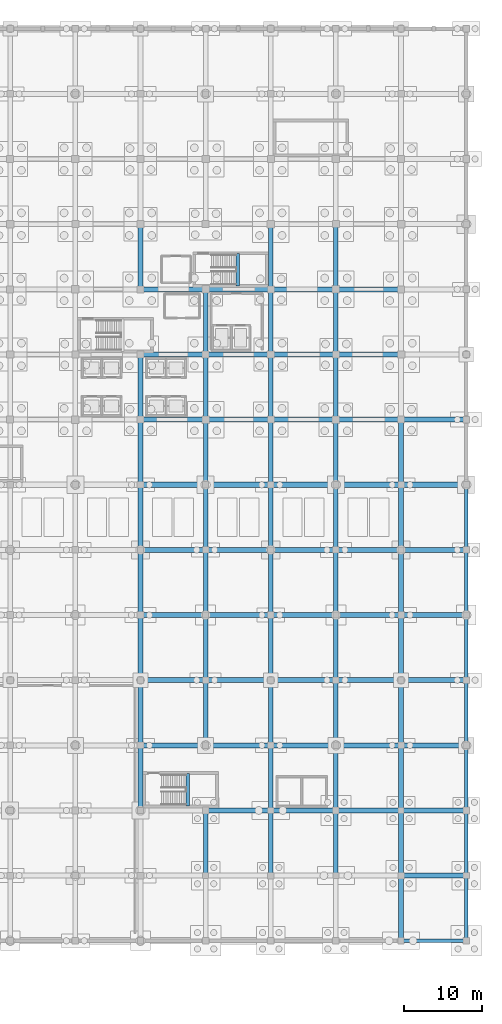
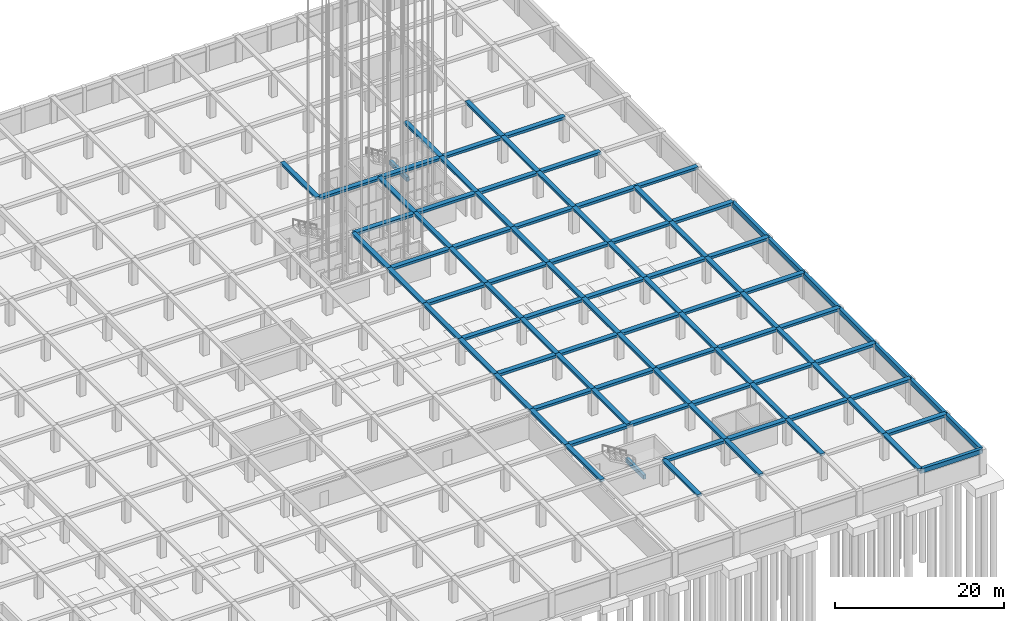
# One storey, part 16 of 47: 97 beams.
"""IFC4 building model written with IfcOpenShell, lengths in metres."""

from ifc_helpers import new_model, si_unit, direction, frame, origin, origin_2d, place, context, subcontext, project, spatial, rectangle, extrude, material, material_profile, profile_set, type_object, element, save


model = new_model("IFC4")

# Units and contexts
model_context = context("Model", 3, precision=1e-05, world=origin(), true_north=direction((0.0, 1.0)))
body_context = subcontext(model_context, "Body", "Model", "MODEL_VIEW")
ifc_project = project(units=[si_unit("LENGTHUNIT", "METRE"), si_unit("AREAUNIT", "SQUARE_METRE"), si_unit("VOLUMEUNIT", "CUBIC_METRE"), si_unit("PLANEANGLEUNIT", "RADIAN"), si_unit("MASSUNIT", "GRAM", prefix="KILO")], contexts=[model_context])

# Site, building, storey
site_placement = place(None, origin())
site = spatial("IfcSite", under=ifc_project, at=site_placement, CompositionType="ELEMENT")
building_placement = place(site_placement, origin())
building = spatial("IfcBuilding", under=site, at=building_placement, Name="Almacenes y Pasaje Nevantli", CompositionType="ELEMENT")
storey_placement = place(building_placement, frame((0.0, 0.0, -8.10009765625)))
storey = spatial("IfcBuildingStorey", under=building, at=storey_placement, Name="B02", CompositionType="ELEMENT", Elevation=-8.10009765625)

# Beams
ifc_material_1 = material(Name="Concrete C35/45", Category="concrete")
ifc_material_profile_1 = material_profile(ifc_material_1, rectangle(XDim=0.39990234375, YDim=0.60009765625, at=origin_2d()), Name="RC-BM-400x600")
ifc_profile_set_1 = profile_set([ifc_material_profile_1], Name="Concrete C35/45")
beam_type_1 = type_object("IfcBeamType", Name="BM-RC-400x600", PredefinedType="SPANDREL", material=ifc_profile_set_1)
beam_1_placement = place(storey_placement, frame((138.5400390625, 84.449951171875, 1.4501953125), z_axis=(0.0, 1.0, 0.0), x_axis=(-1.0, 0.0, 0.0)))
element("IfcBeam", 1, at=beam_1_placement, inside=storey, type_object=beam_type_1, Name="B02 Stair ST-02 Half-Landing Support Beam", PredefinedType="SPANDREL", context=body_context, shape_type="SweptSolid", body=[
    extrude(rectangle(XDim=0.39990234375, YDim=0.60009765625, at=origin_2d()), origin(), (0.0, 0.0, 1.0), 4.18994140625),
])
beam_2_placement = place(storey_placement, frame((132.090087890625, 17.35009765625, 1.4501953125), z_axis=(0.0, 1.0, 0.0), x_axis=(-1.0, 0.0, 0.0)))
element("IfcBeam", 2, at=beam_2_placement, inside=storey, type_object=beam_type_1, Name="B02 Stair ST-06 Half-Landing Support Beam", PredefinedType="SPANDREL", context=body_context, shape_type="SweptSolid", body=[
    extrude(rectangle(XDim=0.39990234375, YDim=0.60009765625, at=origin_2d()), origin(), (0.0, 0.0, 1.0), 4.25),
])
ifc_material_2 = material(Name="Concrete C35/45", Category="concrete")
ifc_material_profile_2 = material_profile(ifc_material_2, rectangle(XDim=0.449951171875, YDim=0.64990234375, at=origin_2d()), Name="RC-BM-450x650")
ifc_profile_set_2 = profile_set([ifc_material_profile_2], Name="Concrete C35/45")
beam_type_2 = type_object("IfcBeamType", Name="BM-RC-450x650", PredefinedType="SPANDREL", material=ifc_profile_set_2)
beam_3_placement = place(storey_placement, frame((159.60009765625, 0.0, 3.275146484375), z_axis=(1.0, 0.0, 0.0), x_axis=(0.0, 1.0, 0.0)))
element("IfcBeam", 3, at=beam_3_placement, inside=storey, type_object=beam_type_2, Name="B02 East-West Reinforced Concrete Beam #17", PredefinedType="SPANDREL", context=body_context, shape_type="SweptSolid", body=[
    extrude(rectangle(XDim=0.449951171875, YDim=0.64990234375, at=origin_2d()), origin(), (0.0, 0.0, 1.0), 8.39990234375),
])
ifc_material_3 = material(Name="Concrete C35/45", Category="concrete")
ifc_material_profile_3 = material_profile(ifc_material_3, rectangle(XDim=0.449951171875, YDim=0.699951171875, at=origin_2d()), Name="RC-BM-450x700")
ifc_profile_set_3 = profile_set([ifc_material_profile_3], Name="Concrete C35/45")
beam_type_3 = type_object("IfcBeamType", Name="BM-RC-450x700", PredefinedType="SPANDREL", material=ifc_profile_set_3)
beam_4_placement = place(storey_placement, frame((168.0, 0.0, 3.25), z_axis=(0.0, 1.0, 0.0), x_axis=(-1.0, 0.0, 0.0)))
element("IfcBeam", 4, at=beam_4_placement, inside=storey, type_object=beam_type_3, Name="B02 North-South Reinforced Concrete Beam #557", PredefinedType="SPANDREL", context=body_context, shape_type="SweptSolid", body=[
    extrude(rectangle(XDim=0.449951171875, YDim=0.699951171875, at=origin_2d()), origin(), (0.0, 0.0, 1.0), 8.39990234375),
])
beam_5_placement = place(storey_placement, frame((168.0, 8.39990234375, 3.25), z_axis=(0.0, 1.0, 0.0), x_axis=(-1.0, 0.0, 0.0)))
element("IfcBeam", 5, at=beam_5_placement, inside=storey, type_object=beam_type_3, Name="B02 North-South Reinforced Concrete Beam #558", PredefinedType="SPANDREL", context=body_context, shape_type="SweptSolid", body=[
    extrude(rectangle(XDim=0.449951171875, YDim=0.699951171875, at=origin_2d()), origin(), (0.0, 0.0, 1.0), 8.400146484375),
])
beam_6_placement = place(storey_placement, frame((168.0, 16.800048828125, 3.25), z_axis=(0.0, 1.0, 0.0), x_axis=(-1.0, 0.0, 0.0)))
element("IfcBeam", 6, at=beam_6_placement, inside=storey, type_object=beam_type_3, Name="B02 North-South Reinforced Concrete Beam #559", PredefinedType="SPANDREL", context=body_context, shape_type="SweptSolid", body=[
    extrude(rectangle(XDim=0.449951171875, YDim=0.699951171875, at=origin_2d()), origin(), (0.0, 0.0, 1.0), 8.39990234375),
])
beam_7_placement = place(storey_placement, frame((168.0, 25.199951171875, 3.25), z_axis=(0.0, 1.0, 0.0), x_axis=(-1.0, 0.0, 0.0)))
element("IfcBeam", 7, at=beam_7_placement, inside=storey, type_object=beam_type_3, Name="B02 North-South Reinforced Concrete Beam #560", PredefinedType="SPANDREL", context=body_context, shape_type="SweptSolid", body=[
    extrude(rectangle(XDim=0.449951171875, YDim=0.699951171875, at=origin_2d()), origin(), (0.0, 0.0, 1.0), 8.400146484375),
])
for number, where, z_axis, x_axis, name in (
    (8, (168.0, 33.60009765625, 3.25), (0.0, 1.0, 0.0), (-1.0, 0.0, 0.0), "B02 North-South Reinforced Concrete Beam #561"),
    (9, (168.0, 42.0, 3.25), (0.0, 1.0, 0.0), (-1.0, 0.0, 0.0), "B02 North-South Reinforced Concrete Beam #562"),
):
    element("IfcBeam", number, at=place(storey_placement, frame(where, z_axis=z_axis, x_axis=x_axis)), inside=storey, type_object=beam_type_3, Name=name, PredefinedType="SPANDREL", context=body_context, shape_type="SweptSolid", body=[
        extrude(rectangle(XDim=0.449951171875, YDim=0.699951171875, at=origin_2d()), origin(), (0.0, 0.0, 1.0), 8.39990234375),
    ])
beam_8_placement = place(storey_placement, frame((168.0, 50.39990234375, 3.25), z_axis=(0.0, 1.0, 0.0), x_axis=(-1.0, 0.0, 0.0)))
element("IfcBeam", 10, at=beam_8_placement, inside=storey, type_object=beam_type_3, Name="B02 North-South Reinforced Concrete Beam #563", PredefinedType="SPANDREL", context=body_context, shape_type="SweptSolid", body=[
    extrude(rectangle(XDim=0.449951171875, YDim=0.699951171875, at=origin_2d()), origin(), (0.0, 0.0, 1.0), 8.400146484375),
])
ifc_material_4 = material(Name="Concrete C35/45", Category="concrete")
ifc_material_profile_4 = material_profile(ifc_material_4, rectangle(XDim=0.60009765625, YDim=0.320068359375, at=origin_2d()), Name="RC-BM-600x320")
ifc_profile_set_4 = profile_set([ifc_material_profile_4], Name="Concrete C35/45")
beam_type_4 = type_object("IfcBeamType", Name="BM-RC-600x320", PredefinedType="BEAM", material=ifc_profile_set_4)
for number, where, z_axis, x_axis, name in (
    (11, (126.0, 16.800048828125, 3.440185546875), (0.0, 1.0, 0.0), (-1.0, 0.0, 0.0), "B02 North-South Reinforced Concrete Beam #492"),
    (12, (126.0, 33.60009765625, 3.440185546875), (0.0, 1.0, 0.0), (-1.0, 0.0, 0.0), "B02 North-South Reinforced Concrete Beam #494"),
):
    element("IfcBeam", number, at=place(storey_placement, frame(where, z_axis=z_axis, x_axis=x_axis)), inside=storey, type_object=beam_type_4, Name=name, PredefinedType="BEAM", context=body_context, shape_type="SweptSolid", body=[
        extrude(rectangle(XDim=0.60009765625, YDim=0.320068359375, at=origin_2d()), origin(), (0.0, 0.0, 1.0), 8.39990234375),
    ])
for number, where, z_axis, x_axis, name in (
    (13, (126.0, 50.39990234375, 3.440185546875), (0.0, 1.0, 0.0), (-1.0, 0.0, 0.0), "B02 North-South Reinforced Concrete Beam #496"),
    (14, (126.0, 67.199951171875, 3.440185546875), (0.0, 1.0, 0.0), (-1.0, 0.0, 0.0), "B02 North-South Reinforced Concrete Beam #498"),
):
    element("IfcBeam", number, at=place(storey_placement, frame(where, z_axis=z_axis, x_axis=x_axis)), inside=storey, type_object=beam_type_4, Name=name, PredefinedType="BEAM", context=body_context, shape_type="SweptSolid", body=[
        extrude(rectangle(XDim=0.60009765625, YDim=0.320068359375, at=origin_2d()), origin(), (0.0, 0.0, 1.0), 8.400146484375),
    ])
beam_9_placement = place(storey_placement, frame((126.0, 84.0, 3.440185546875), z_axis=(0.0, 1.0, 0.0), x_axis=(-1.0, 0.0, 0.0)))
element("IfcBeam", 15, at=beam_9_placement, inside=storey, type_object=beam_type_4, Name="B02 North-South Reinforced Concrete Beam #499", PredefinedType="BEAM", context=body_context, shape_type="SweptSolid", body=[
    extrude(rectangle(XDim=0.60009765625, YDim=0.320068359375, at=origin_2d()), origin(), (0.0, 0.0, 1.0), 8.39990234375),
])
for number, where, z_axis, x_axis, name in (
    (16, (134.39990234375, 8.39990234375, 3.440185546875), (0.0, 1.0, 0.0), (-1.0, 0.0, 0.0), "B02 North-South Reinforced Concrete Beam #504"),
    (17, (134.39990234375, 25.199951171875, 3.440185546875), (0.0, 1.0, 0.0), (-1.0, 0.0, 0.0), "B02 North-South Reinforced Concrete Beam #505"),
):
    element("IfcBeam", number, at=place(storey_placement, frame(where, z_axis=z_axis, x_axis=x_axis)), inside=storey, type_object=beam_type_4, Name=name, PredefinedType="BEAM", context=body_context, shape_type="SweptSolid", body=[
        extrude(rectangle(XDim=0.60009765625, YDim=0.320068359375, at=origin_2d()), origin(), (0.0, 0.0, 1.0), 8.400146484375),
    ])
for number, where, z_axis, x_axis, name in (
    (18, (134.39990234375, 42.0, 3.440185546875), (0.0, 1.0, 0.0), (-1.0, 0.0, 0.0), "B02 North-South Reinforced Concrete Beam #507"),
    (19, (134.39990234375, 58.800048828125, 3.440185546875), (0.0, 1.0, 0.0), (-1.0, 0.0, 0.0), "B02 North-South Reinforced Concrete Beam #509"),
    (20, (134.39990234375, 75.60009765625, 3.440185546875), (0.0, 1.0, 0.0), (-1.0, 0.0, 0.0), "B02 North-South Reinforced Concrete Beam #511"),
    (21, (142.800048828125, 16.800048828125, 3.440185546875), (0.0, 1.0, 0.0), (-1.0, 0.0, 0.0), "B02 North-South Reinforced Concrete Beam #517"),
    (22, (142.800048828125, 33.60009765625, 3.440185546875), (0.0, 1.0, 0.0), (-1.0, 0.0, 0.0), "B02 North-South Reinforced Concrete Beam #519"),
):
    element("IfcBeam", number, at=place(storey_placement, frame(where, z_axis=z_axis, x_axis=x_axis)), inside=storey, type_object=beam_type_4, Name=name, PredefinedType="BEAM", context=body_context, shape_type="SweptSolid", body=[
        extrude(rectangle(XDim=0.60009765625, YDim=0.320068359375, at=origin_2d()), origin(), (0.0, 0.0, 1.0), 8.39990234375),
    ])
for number, where, z_axis, x_axis, name in (
    (23, (142.800048828125, 50.39990234375, 3.440185546875), (0.0, 1.0, 0.0), (-1.0, 0.0, 0.0), "B02 North-South Reinforced Concrete Beam #521"),
    (24, (142.800048828125, 67.199951171875, 3.440185546875), (0.0, 1.0, 0.0), (-1.0, 0.0, 0.0), "B02 North-South Reinforced Concrete Beam #523"),
):
    element("IfcBeam", number, at=place(storey_placement, frame(where, z_axis=z_axis, x_axis=x_axis)), inside=storey, type_object=beam_type_4, Name=name, PredefinedType="BEAM", context=body_context, shape_type="SweptSolid", body=[
        extrude(rectangle(XDim=0.60009765625, YDim=0.320068359375, at=origin_2d()), origin(), (0.0, 0.0, 1.0), 8.400146484375),
    ])
beam_10_placement = place(storey_placement, frame((142.800048828125, 84.0, 3.440185546875), z_axis=(0.0, 1.0, 0.0), x_axis=(-1.0, 0.0, 0.0)))
element("IfcBeam", 25, at=beam_10_placement, inside=storey, type_object=beam_type_4, Name="B02 North-South Reinforced Concrete Beam #525", PredefinedType="BEAM", context=body_context, shape_type="SweptSolid", body=[
    extrude(rectangle(XDim=0.60009765625, YDim=0.320068359375, at=origin_2d()), origin(), (0.0, 0.0, 1.0), 8.39990234375),
])
for number, where, z_axis, x_axis, name in (
    (26, (151.199951171875, 8.39990234375, 3.440185546875), (0.0, 1.0, 0.0), (-1.0, 0.0, 0.0), "B02 North-South Reinforced Concrete Beam #530"),
    (27, (151.199951171875, 25.199951171875, 3.440185546875), (0.0, 1.0, 0.0), (-1.0, 0.0, 0.0), "B02 North-South Reinforced Concrete Beam #532"),
):
    element("IfcBeam", number, at=place(storey_placement, frame(where, z_axis=z_axis, x_axis=x_axis)), inside=storey, type_object=beam_type_4, Name=name, PredefinedType="BEAM", context=body_context, shape_type="SweptSolid", body=[
        extrude(rectangle(XDim=0.60009765625, YDim=0.320068359375, at=origin_2d()), origin(), (0.0, 0.0, 1.0), 8.400146484375),
    ])
for number, where, z_axis, x_axis, name in (
    (28, (151.199951171875, 42.0, 3.440185546875), (0.0, 1.0, 0.0), (-1.0, 0.0, 0.0), "B02 North-South Reinforced Concrete Beam #534"),
    (29, (151.199951171875, 58.800048828125, 3.440185546875), (0.0, 1.0, 0.0), (-1.0, 0.0, 0.0), "B02 North-South Reinforced Concrete Beam #536"),
    (30, (151.199951171875, 75.60009765625, 3.440185546875), (0.0, 1.0, 0.0), (-1.0, 0.0, 0.0), "B02 North-South Reinforced Concrete Beam #538"),
    (31, (159.60009765625, 0.0, 3.440185546875), (0.0, 1.0, 0.0), (-1.0, 0.0, 0.0), "B02 North-South Reinforced Concrete Beam #543"),
    (32, (159.60009765625, 16.800048828125, 3.440185546875), (0.0, 1.0, 0.0), (-1.0, 0.0, 0.0), "B02 North-South Reinforced Concrete Beam #545"),
    (33, (159.60009765625, 33.60009765625, 3.440185546875), (0.0, 1.0, 0.0), (-1.0, 0.0, 0.0), "B02 North-South Reinforced Concrete Beam #547"),
):
    element("IfcBeam", number, at=place(storey_placement, frame(where, z_axis=z_axis, x_axis=x_axis)), inside=storey, type_object=beam_type_4, Name=name, PredefinedType="BEAM", context=body_context, shape_type="SweptSolid", body=[
        extrude(rectangle(XDim=0.60009765625, YDim=0.320068359375, at=origin_2d()), origin(), (0.0, 0.0, 1.0), 8.39990234375),
    ])
beam_11_placement = place(storey_placement, frame((159.60009765625, 50.39990234375, 3.440185546875), z_axis=(0.0, 1.0, 0.0), x_axis=(-1.0, 0.0, 0.0)))
element("IfcBeam", 34, at=beam_11_placement, inside=storey, type_object=beam_type_4, Name="B02 North-South Reinforced Concrete Beam #549", PredefinedType="BEAM", context=body_context, shape_type="SweptSolid", body=[
    extrude(rectangle(XDim=0.60009765625, YDim=0.320068359375, at=origin_2d()), origin(), (0.0, 0.0, 1.0), 8.400146484375),
])
ifc_material_5 = material(Name="Concrete C35/45", Category="concrete")
ifc_material_profile_5 = material_profile(ifc_material_5, rectangle(XDim=0.60009765625, YDim=0.340087890625, at=origin_2d()), Name="RC-BM-600x340")
ifc_profile_set_5 = profile_set([ifc_material_profile_5], Name="Concrete C35/45")
beam_type_5 = type_object("IfcBeamType", Name="BM-RC-600x340", PredefinedType="BEAM", material=ifc_profile_set_5)
beam_12_placement = place(storey_placement, frame((126.0, 25.199951171875, 3.43017578125), z_axis=(0.0, 1.0, 0.0), x_axis=(-1.0, 0.0, 0.0)))
element("IfcBeam", 35, at=beam_12_placement, inside=storey, type_object=beam_type_5, Name="B02 North-South Reinforced Concrete Beam #493", PredefinedType="BEAM", context=body_context, shape_type="SweptSolid", body=[
    extrude(rectangle(XDim=0.60009765625, YDim=0.340087890625, at=origin_2d()), origin(), (0.0, 0.0, 1.0), 8.400146484375),
])
for number, where, z_axis, x_axis, name in (
    (36, (126.0, 42.0, 3.43017578125), (0.0, 1.0, 0.0), (-1.0, 0.0, 0.0), "B02 North-South Reinforced Concrete Beam #495"),
    (37, (126.0, 58.800048828125, 3.43017578125), (0.0, 1.0, 0.0), (-1.0, 0.0, 0.0), "B02 North-South Reinforced Concrete Beam #497"),
    (38, (134.39990234375, 33.60009765625, 3.43017578125), (0.0, 1.0, 0.0), (-1.0, 0.0, 0.0), "B02 North-South Reinforced Concrete Beam #506"),
):
    element("IfcBeam", number, at=place(storey_placement, frame(where, z_axis=z_axis, x_axis=x_axis)), inside=storey, type_object=beam_type_5, Name=name, PredefinedType="BEAM", context=body_context, shape_type="SweptSolid", body=[
        extrude(rectangle(XDim=0.60009765625, YDim=0.340087890625, at=origin_2d()), origin(), (0.0, 0.0, 1.0), 8.39990234375),
    ])
for number, where, z_axis, x_axis, name in (
    (39, (134.39990234375, 50.39990234375, 3.43017578125), (0.0, 1.0, 0.0), (-1.0, 0.0, 0.0), "B02 North-South Reinforced Concrete Beam #508"),
    (40, (134.39990234375, 67.199951171875, 3.43017578125), (0.0, 1.0, 0.0), (-1.0, 0.0, 0.0), "B02 North-South Reinforced Concrete Beam #510"),
    (41, (142.800048828125, 8.39990234375, 3.43017578125), (0.0, 1.0, 0.0), (-1.0, 0.0, 0.0), "B02 North-South Reinforced Concrete Beam #516"),
    (42, (142.800048828125, 25.199951171875, 3.43017578125), (0.0, 1.0, 0.0), (-1.0, 0.0, 0.0), "B02 North-South Reinforced Concrete Beam #518"),
):
    element("IfcBeam", number, at=place(storey_placement, frame(where, z_axis=z_axis, x_axis=x_axis)), inside=storey, type_object=beam_type_5, Name=name, PredefinedType="BEAM", context=body_context, shape_type="SweptSolid", body=[
        extrude(rectangle(XDim=0.60009765625, YDim=0.340087890625, at=origin_2d()), origin(), (0.0, 0.0, 1.0), 8.400146484375),
    ])
for number, where, z_axis, x_axis, name in (
    (43, (142.800048828125, 42.0, 3.43017578125), (0.0, 1.0, 0.0), (-1.0, 0.0, 0.0), "B02 North-South Reinforced Concrete Beam #520"),
    (44, (142.800048828125, 58.800048828125, 3.43017578125), (0.0, 1.0, 0.0), (-1.0, 0.0, 0.0), "B02 North-South Reinforced Concrete Beam #522"),
    (45, (142.800048828125, 75.60009765625, 3.43017578125), (0.0, 1.0, 0.0), (-1.0, 0.0, 0.0), "B02 North-South Reinforced Concrete Beam #524"),
    (46, (151.199951171875, 16.800048828125, 3.43017578125), (0.0, 1.0, 0.0), (-1.0, 0.0, 0.0), "B02 North-South Reinforced Concrete Beam #531"),
    (47, (151.199951171875, 33.60009765625, 3.43017578125), (0.0, 1.0, 0.0), (-1.0, 0.0, 0.0), "B02 North-South Reinforced Concrete Beam #533"),
):
    element("IfcBeam", number, at=place(storey_placement, frame(where, z_axis=z_axis, x_axis=x_axis)), inside=storey, type_object=beam_type_5, Name=name, PredefinedType="BEAM", context=body_context, shape_type="SweptSolid", body=[
        extrude(rectangle(XDim=0.60009765625, YDim=0.340087890625, at=origin_2d()), origin(), (0.0, 0.0, 1.0), 8.39990234375),
    ])
for number, where, z_axis, x_axis, name in (
    (48, (151.199951171875, 50.39990234375, 3.43017578125), (0.0, 1.0, 0.0), (-1.0, 0.0, 0.0), "B02 North-South Reinforced Concrete Beam #535"),
    (49, (151.199951171875, 67.199951171875, 3.43017578125), (0.0, 1.0, 0.0), (-1.0, 0.0, 0.0), "B02 North-South Reinforced Concrete Beam #537"),
):
    element("IfcBeam", number, at=place(storey_placement, frame(where, z_axis=z_axis, x_axis=x_axis)), inside=storey, type_object=beam_type_5, Name=name, PredefinedType="BEAM", context=body_context, shape_type="SweptSolid", body=[
        extrude(rectangle(XDim=0.60009765625, YDim=0.340087890625, at=origin_2d()), origin(), (0.0, 0.0, 1.0), 8.400146484375),
    ])
beam_13_placement = place(storey_placement, frame((151.199951171875, 84.0, 3.43017578125), z_axis=(0.0, 1.0, 0.0), x_axis=(-1.0, 0.0, 0.0)))
element("IfcBeam", 50, at=beam_13_placement, inside=storey, type_object=beam_type_5, Name="B02 North-South Reinforced Concrete Beam #539", PredefinedType="BEAM", context=body_context, shape_type="SweptSolid", body=[
    extrude(rectangle(XDim=0.60009765625, YDim=0.340087890625, at=origin_2d()), origin(), (0.0, 0.0, 1.0), 8.39990234375),
])
for number, where, z_axis, x_axis, name in (
    (51, (159.60009765625, 8.39990234375, 3.43017578125), (0.0, 1.0, 0.0), (-1.0, 0.0, 0.0), "B02 North-South Reinforced Concrete Beam #544"),
    (52, (159.60009765625, 25.199951171875, 3.43017578125), (0.0, 1.0, 0.0), (-1.0, 0.0, 0.0), "B02 North-South Reinforced Concrete Beam #546"),
):
    element("IfcBeam", number, at=place(storey_placement, frame(where, z_axis=z_axis, x_axis=x_axis)), inside=storey, type_object=beam_type_5, Name=name, PredefinedType="BEAM", context=body_context, shape_type="SweptSolid", body=[
        extrude(rectangle(XDim=0.60009765625, YDim=0.340087890625, at=origin_2d()), origin(), (0.0, 0.0, 1.0), 8.400146484375),
    ])
for number, where, z_axis, x_axis, name in (
    (53, (159.60009765625, 42.0, 3.43017578125), (0.0, 1.0, 0.0), (-1.0, 0.0, 0.0), "B02 North-South Reinforced Concrete Beam #548"),
    (54, (159.60009765625, 58.800048828125, 3.43017578125), (0.0, 1.0, 0.0), (-1.0, 0.0, 0.0), "B02 North-South Reinforced Concrete Beam #550"),
):
    element("IfcBeam", number, at=place(storey_placement, frame(where, z_axis=z_axis, x_axis=x_axis)), inside=storey, type_object=beam_type_5, Name=name, PredefinedType="BEAM", context=body_context, shape_type="SweptSolid", body=[
        extrude(rectangle(XDim=0.60009765625, YDim=0.340087890625, at=origin_2d()), origin(), (0.0, 0.0, 1.0), 8.39990234375),
    ])
ifc_material_6 = material(Name="Concrete C35/45", Category="concrete")
ifc_material_profile_6 = material_profile(ifc_material_6, rectangle(XDim=0.64990234375, YDim=0.35009765625, at=origin_2d()), Name="RC-BM-650x350")
ifc_profile_set_6 = profile_set([ifc_material_profile_6], Name="Concrete C35/45")
beam_type_6 = type_object("IfcBeamType", Name="BM-RC-650x350", PredefinedType="BEAM", material=ifc_profile_set_6)
for number, where, z_axis, x_axis, name in (
    (55, (142.800048828125, 16.800048828125, 3.425048828125), (1.0, 0.0, 0.0), (0.0, 1.0, 0.0), "B02 East-West Reinforced Concrete Beam #49"),
    (56, (159.60009765625, 16.800048828125, 3.425048828125), (1.0, 0.0, 0.0), (0.0, 1.0, 0.0), "B02 East-West Reinforced Concrete Beam #51"),
):
    element("IfcBeam", number, at=place(storey_placement, frame(where, z_axis=z_axis, x_axis=x_axis)), inside=storey, type_object=beam_type_6, Name=name, PredefinedType="BEAM", context=body_context, shape_type="SweptSolid", body=[
        extrude(rectangle(XDim=0.64990234375, YDim=0.35009765625, at=origin_2d()), origin(), (0.0, 0.0, 1.0), 8.39990234375),
    ])
for number, where, z_axis, x_axis, name in (
    (57, (134.39990234375, 25.199951171875, 3.425048828125), (1.0, 0.0, 0.0), (0.0, 1.0, 0.0), "B02 East-West Reinforced Concrete Beam #68"),
    (58, (151.199951171875, 25.199951171875, 3.425048828125), (1.0, 0.0, 0.0), (0.0, 1.0, 0.0), "B02 East-West Reinforced Concrete Beam #70"),
):
    element("IfcBeam", number, at=place(storey_placement, frame(where, z_axis=z_axis, x_axis=x_axis)), inside=storey, type_object=beam_type_6, Name=name, PredefinedType="BEAM", context=body_context, shape_type="SweptSolid", body=[
        extrude(rectangle(XDim=0.64990234375, YDim=0.35009765625, at=origin_2d()), origin(), (0.0, 0.0, 1.0), 8.400146484375),
    ])
for number, where, z_axis, x_axis, name in (
    (59, (126.0, 33.60009765625, 3.425048828125), (1.0, 0.0, 0.0), (0.0, 1.0, 0.0), "B02 East-West Reinforced Concrete Beam #87"),
    (60, (142.800048828125, 33.60009765625, 3.425048828125), (1.0, 0.0, 0.0), (0.0, 1.0, 0.0), "B02 East-West Reinforced Concrete Beam #89"),
    (61, (159.60009765625, 33.60009765625, 3.425048828125), (1.0, 0.0, 0.0), (0.0, 1.0, 0.0), "B02 East-West Reinforced Concrete Beam #91"),
):
    element("IfcBeam", number, at=place(storey_placement, frame(where, z_axis=z_axis, x_axis=x_axis)), inside=storey, type_object=beam_type_6, Name=name, PredefinedType="BEAM", context=body_context, shape_type="SweptSolid", body=[
        extrude(rectangle(XDim=0.64990234375, YDim=0.35009765625, at=origin_2d()), origin(), (0.0, 0.0, 1.0), 8.39990234375),
    ])
for number, where, z_axis, x_axis, name in (
    (62, (134.39990234375, 42.0, 3.425048828125), (1.0, 0.0, 0.0), (0.0, 1.0, 0.0), "B02 East-West Reinforced Concrete Beam #108"),
    (63, (151.199951171875, 42.0, 3.425048828125), (1.0, 0.0, 0.0), (0.0, 1.0, 0.0), "B02 East-West Reinforced Concrete Beam #110"),
):
    element("IfcBeam", number, at=place(storey_placement, frame(where, z_axis=z_axis, x_axis=x_axis)), inside=storey, type_object=beam_type_6, Name=name, PredefinedType="BEAM", context=body_context, shape_type="SweptSolid", body=[
        extrude(rectangle(XDim=0.64990234375, YDim=0.35009765625, at=origin_2d()), origin(), (0.0, 0.0, 1.0), 8.400146484375),
    ])
for number, where, z_axis, x_axis, name in (
    (64, (126.0, 50.39990234375, 3.425048828125), (1.0, 0.0, 0.0), (0.0, 1.0, 0.0), "B02 East-West Reinforced Concrete Beam #127"),
    (65, (142.800048828125, 50.39990234375, 3.425048828125), (1.0, 0.0, 0.0), (0.0, 1.0, 0.0), "B02 East-West Reinforced Concrete Beam #129"),
    (66, (159.60009765625, 50.39990234375, 3.425048828125), (1.0, 0.0, 0.0), (0.0, 1.0, 0.0), "B02 East-West Reinforced Concrete Beam #131"),
):
    element("IfcBeam", number, at=place(storey_placement, frame(where, z_axis=z_axis, x_axis=x_axis)), inside=storey, type_object=beam_type_6, Name=name, PredefinedType="BEAM", context=body_context, shape_type="SweptSolid", body=[
        extrude(rectangle(XDim=0.64990234375, YDim=0.35009765625, at=origin_2d()), origin(), (0.0, 0.0, 1.0), 8.39990234375),
    ])
for number, where, z_axis, x_axis, name in (
    (67, (134.39990234375, 58.800048828125, 3.425048828125), (1.0, 0.0, 0.0), (0.0, 1.0, 0.0), "B02 East-West Reinforced Concrete Beam #148"),
    (68, (151.199951171875, 58.800048828125, 3.425048828125), (1.0, 0.0, 0.0), (0.0, 1.0, 0.0), "B02 East-West Reinforced Concrete Beam #150"),
):
    element("IfcBeam", number, at=place(storey_placement, frame(where, z_axis=z_axis, x_axis=x_axis)), inside=storey, type_object=beam_type_6, Name=name, PredefinedType="BEAM", context=body_context, shape_type="SweptSolid", body=[
        extrude(rectangle(XDim=0.64990234375, YDim=0.35009765625, at=origin_2d()), origin(), (0.0, 0.0, 1.0), 8.400146484375),
    ])
for number, where, z_axis, x_axis, name in (
    (69, (126.0, 67.199951171875, 3.425048828125), (1.0, 0.0, 0.0), (0.0, 1.0, 0.0), "B02 East-West Reinforced Concrete Beam #167"),
    (70, (142.800048828125, 67.199951171875, 3.425048828125), (1.0, 0.0, 0.0), (0.0, 1.0, 0.0), "B02 East-West Reinforced Concrete Beam #169"),
    (71, (159.60009765625, 67.199951171875, 3.425048828125), (1.0, 0.0, 0.0), (0.0, 1.0, 0.0), "B02 East-West Reinforced Concrete Beam #171"),
):
    element("IfcBeam", number, at=place(storey_placement, frame(where, z_axis=z_axis, x_axis=x_axis)), inside=storey, type_object=beam_type_6, Name=name, PredefinedType="BEAM", context=body_context, shape_type="SweptSolid", body=[
        extrude(rectangle(XDim=0.64990234375, YDim=0.35009765625, at=origin_2d()), origin(), (0.0, 0.0, 1.0), 8.39990234375),
    ])
for number, where, z_axis, x_axis, name in (
    (72, (134.39990234375, 75.60009765625, 3.425048828125), (1.0, 0.0, 0.0), (0.0, 1.0, 0.0), "B02 East-West Reinforced Concrete Beam #188"),
    (73, (151.199951171875, 75.60009765625, 3.425048828125), (1.0, 0.0, 0.0), (0.0, 1.0, 0.0), "B02 East-West Reinforced Concrete Beam #190"),
):
    element("IfcBeam", number, at=place(storey_placement, frame(where, z_axis=z_axis, x_axis=x_axis)), inside=storey, type_object=beam_type_6, Name=name, PredefinedType="BEAM", context=body_context, shape_type="SweptSolid", body=[
        extrude(rectangle(XDim=0.64990234375, YDim=0.35009765625, at=origin_2d()), origin(), (0.0, 0.0, 1.0), 8.400146484375),
    ])
for number, where, z_axis, x_axis, name in (
    (74, (126.0, 84.0, 3.425048828125), (1.0, 0.0, 0.0), (0.0, 1.0, 0.0), "B02 East-West Reinforced Concrete Beam #207"),
    (75, (142.800048828125, 84.0, 3.425048828125), (1.0, 0.0, 0.0), (0.0, 1.0, 0.0), "B02 East-West Reinforced Concrete Beam #209"),
):
    element("IfcBeam", number, at=place(storey_placement, frame(where, z_axis=z_axis, x_axis=x_axis)), inside=storey, type_object=beam_type_6, Name=name, PredefinedType="BEAM", context=body_context, shape_type="SweptSolid", body=[
        extrude(rectangle(XDim=0.64990234375, YDim=0.35009765625, at=origin_2d()), origin(), (0.0, 0.0, 1.0), 8.39990234375),
    ])
ifc_material_7 = material(Name="Concrete C35/45", Category="concrete")
ifc_material_profile_7 = material_profile(ifc_material_7, rectangle(XDim=0.64990234375, YDim=0.3798828125, at=origin_2d()), Name="RC-BM-650x380")
ifc_profile_set_7 = profile_set([ifc_material_profile_7], Name="Concrete C35/45")
beam_type_7 = type_object("IfcBeamType", Name="BM-RC-650x380", PredefinedType="BEAM", material=ifc_profile_set_7)
beam_14_placement = place(storey_placement, frame((159.60009765625, 8.39990234375, 3.41015625), z_axis=(1.0, 0.0, 0.0), x_axis=(0.0, 1.0, 0.0)))
element("IfcBeam", 76, at=beam_14_placement, inside=storey, type_object=beam_type_7, Name="B02 East-West Reinforced Concrete Beam #34", PredefinedType="BEAM", context=body_context, shape_type="SweptSolid", body=[
    extrude(rectangle(XDim=0.64990234375, YDim=0.3798828125, at=origin_2d()), origin(), (0.0, 0.0, 1.0), 8.39990234375),
])
for number, where, z_axis, x_axis, name in (
    (77, (134.39990234375, 16.800048828125, 3.41015625), (1.0, 0.0, 0.0), (0.0, 1.0, 0.0), "B02 East-West Reinforced Concrete Beam #48"),
    (78, (151.199951171875, 16.800048828125, 3.41015625), (1.0, 0.0, 0.0), (0.0, 1.0, 0.0), "B02 East-West Reinforced Concrete Beam #50"),
):
    element("IfcBeam", number, at=place(storey_placement, frame(where, z_axis=z_axis, x_axis=x_axis)), inside=storey, type_object=beam_type_7, Name=name, PredefinedType="BEAM", context=body_context, shape_type="SweptSolid", body=[
        extrude(rectangle(XDim=0.64990234375, YDim=0.3798828125, at=origin_2d()), origin(), (0.0, 0.0, 1.0), 8.400146484375),
    ])
for number, where, z_axis, x_axis, name in (
    (79, (126.0, 25.199951171875, 3.41015625), (1.0, 0.0, 0.0), (0.0, 1.0, 0.0), "B02 East-West Reinforced Concrete Beam #67"),
    (80, (142.800048828125, 25.199951171875, 3.41015625), (1.0, 0.0, 0.0), (0.0, 1.0, 0.0), "B02 East-West Reinforced Concrete Beam #69"),
    (81, (159.60009765625, 25.199951171875, 3.41015625), (1.0, 0.0, 0.0), (0.0, 1.0, 0.0), "B02 East-West Reinforced Concrete Beam #71"),
):
    element("IfcBeam", number, at=place(storey_placement, frame(where, z_axis=z_axis, x_axis=x_axis)), inside=storey, type_object=beam_type_7, Name=name, PredefinedType="BEAM", context=body_context, shape_type="SweptSolid", body=[
        extrude(rectangle(XDim=0.64990234375, YDim=0.3798828125, at=origin_2d()), origin(), (0.0, 0.0, 1.0), 8.39990234375),
    ])
for number, where, z_axis, x_axis, name in (
    (82, (134.39990234375, 33.60009765625, 3.41015625), (1.0, 0.0, 0.0), (0.0, 1.0, 0.0), "B02 East-West Reinforced Concrete Beam #88"),
    (83, (151.199951171875, 33.60009765625, 3.41015625), (1.0, 0.0, 0.0), (0.0, 1.0, 0.0), "B02 East-West Reinforced Concrete Beam #90"),
):
    element("IfcBeam", number, at=place(storey_placement, frame(where, z_axis=z_axis, x_axis=x_axis)), inside=storey, type_object=beam_type_7, Name=name, PredefinedType="BEAM", context=body_context, shape_type="SweptSolid", body=[
        extrude(rectangle(XDim=0.64990234375, YDim=0.3798828125, at=origin_2d()), origin(), (0.0, 0.0, 1.0), 8.400146484375),
    ])
for number, where, z_axis, x_axis, name in (
    (84, (126.0, 42.0, 3.41015625), (1.0, 0.0, 0.0), (0.0, 1.0, 0.0), "B02 East-West Reinforced Concrete Beam #107"),
    (85, (142.800048828125, 42.0, 3.41015625), (1.0, 0.0, 0.0), (0.0, 1.0, 0.0), "B02 East-West Reinforced Concrete Beam #109"),
    (86, (159.60009765625, 42.0, 3.41015625), (1.0, 0.0, 0.0), (0.0, 1.0, 0.0), "B02 East-West Reinforced Concrete Beam #111"),
):
    element("IfcBeam", number, at=place(storey_placement, frame(where, z_axis=z_axis, x_axis=x_axis)), inside=storey, type_object=beam_type_7, Name=name, PredefinedType="BEAM", context=body_context, shape_type="SweptSolid", body=[
        extrude(rectangle(XDim=0.64990234375, YDim=0.3798828125, at=origin_2d()), origin(), (0.0, 0.0, 1.0), 8.39990234375),
    ])
for number, where, z_axis, x_axis, name in (
    (87, (134.39990234375, 50.39990234375, 3.41015625), (1.0, 0.0, 0.0), (0.0, 1.0, 0.0), "B02 East-West Reinforced Concrete Beam #128"),
    (88, (151.199951171875, 50.39990234375, 3.41015625), (1.0, 0.0, 0.0), (0.0, 1.0, 0.0), "B02 East-West Reinforced Concrete Beam #130"),
):
    element("IfcBeam", number, at=place(storey_placement, frame(where, z_axis=z_axis, x_axis=x_axis)), inside=storey, type_object=beam_type_7, Name=name, PredefinedType="BEAM", context=body_context, shape_type="SweptSolid", body=[
        extrude(rectangle(XDim=0.64990234375, YDim=0.3798828125, at=origin_2d()), origin(), (0.0, 0.0, 1.0), 8.400146484375),
    ])
for number, where, z_axis, x_axis, name in (
    (89, (126.0, 58.800048828125, 3.41015625), (1.0, 0.0, 0.0), (0.0, 1.0, 0.0), "B02 East-West Reinforced Concrete Beam #147"),
    (90, (142.800048828125, 58.800048828125, 3.41015625), (1.0, 0.0, 0.0), (0.0, 1.0, 0.0), "B02 East-West Reinforced Concrete Beam #149"),
    (91, (159.60009765625, 58.800048828125, 3.41015625), (1.0, 0.0, 0.0), (0.0, 1.0, 0.0), "B02 East-West Reinforced Concrete Beam #151"),
):
    element("IfcBeam", number, at=place(storey_placement, frame(where, z_axis=z_axis, x_axis=x_axis)), inside=storey, type_object=beam_type_7, Name=name, PredefinedType="BEAM", context=body_context, shape_type="SweptSolid", body=[
        extrude(rectangle(XDim=0.64990234375, YDim=0.3798828125, at=origin_2d()), origin(), (0.0, 0.0, 1.0), 8.39990234375),
    ])
for number, where, z_axis, x_axis, name in (
    (92, (134.39990234375, 67.199951171875, 3.41015625), (1.0, 0.0, 0.0), (0.0, 1.0, 0.0), "B02 East-West Reinforced Concrete Beam #168"),
    (93, (151.199951171875, 67.199951171875, 3.41015625), (1.0, 0.0, 0.0), (0.0, 1.0, 0.0), "B02 East-West Reinforced Concrete Beam #170"),
):
    element("IfcBeam", number, at=place(storey_placement, frame(where, z_axis=z_axis, x_axis=x_axis)), inside=storey, type_object=beam_type_7, Name=name, PredefinedType="BEAM", context=body_context, shape_type="SweptSolid", body=[
        extrude(rectangle(XDim=0.64990234375, YDim=0.3798828125, at=origin_2d()), origin(), (0.0, 0.0, 1.0), 8.400146484375),
    ])
for number, where, z_axis, x_axis, name in (
    (94, (126.0, 75.60009765625, 3.41015625), (1.0, 0.0, 0.0), (0.0, 1.0, 0.0), "B02 East-West Reinforced Concrete Beam #187"),
    (95, (142.800048828125, 75.60009765625, 3.41015625), (1.0, 0.0, 0.0), (0.0, 1.0, 0.0), "B02 East-West Reinforced Concrete Beam #189"),
):
    element("IfcBeam", number, at=place(storey_placement, frame(where, z_axis=z_axis, x_axis=x_axis)), inside=storey, type_object=beam_type_7, Name=name, PredefinedType="BEAM", context=body_context, shape_type="SweptSolid", body=[
        extrude(rectangle(XDim=0.64990234375, YDim=0.3798828125, at=origin_2d()), origin(), (0.0, 0.0, 1.0), 8.39990234375),
    ])
for number, where, z_axis, x_axis, name in (
    (96, (134.39990234375, 84.0, 3.41015625), (1.0, 0.0, 0.0), (0.0, 1.0, 0.0), "B02 East-West Reinforced Concrete Beam #208"),
    (97, (151.199951171875, 84.0, 3.41015625), (1.0, 0.0, 0.0), (0.0, 1.0, 0.0), "B02 East-West Reinforced Concrete Beam #210"),
):
    element("IfcBeam", number, at=place(storey_placement, frame(where, z_axis=z_axis, x_axis=x_axis)), inside=storey, type_object=beam_type_7, Name=name, PredefinedType="BEAM", context=body_context, shape_type="SweptSolid", body=[
        extrude(rectangle(XDim=0.64990234375, YDim=0.3798828125, at=origin_2d()), origin(), (0.0, 0.0, 1.0), 8.400146484375),
    ])

save(model, "model.ifc")
